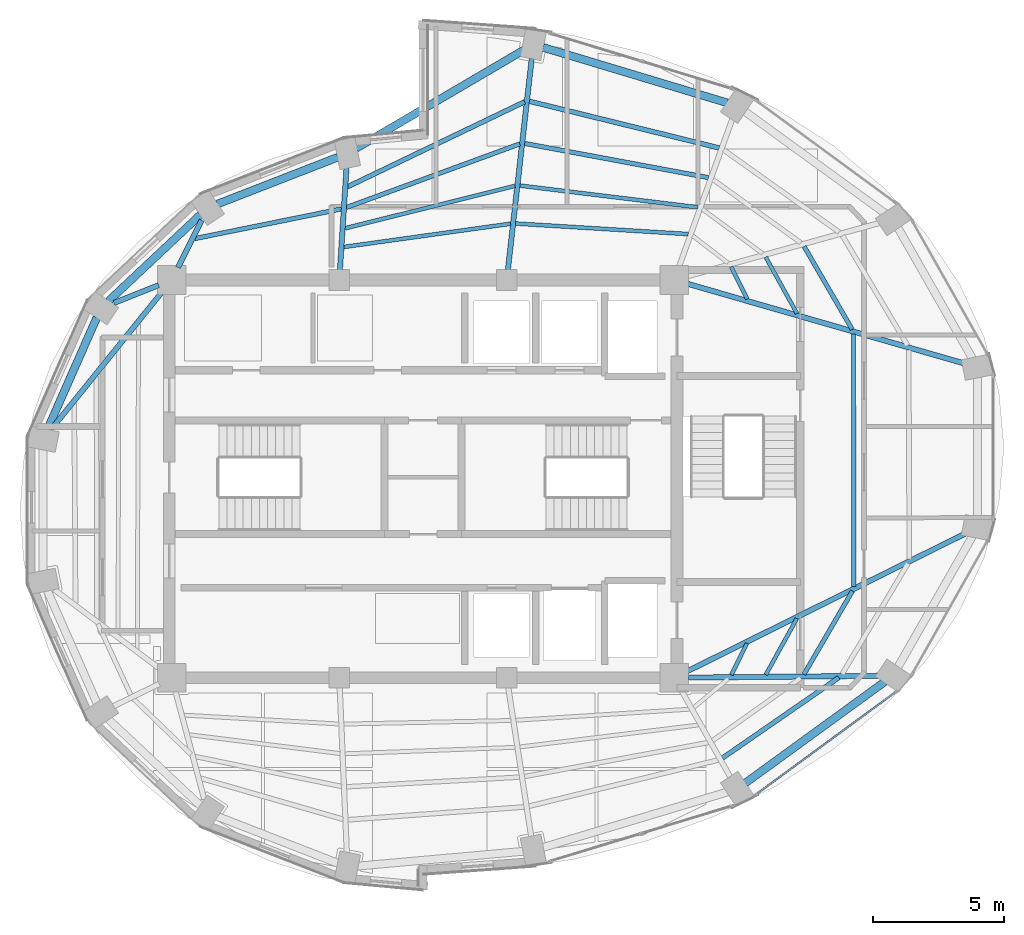
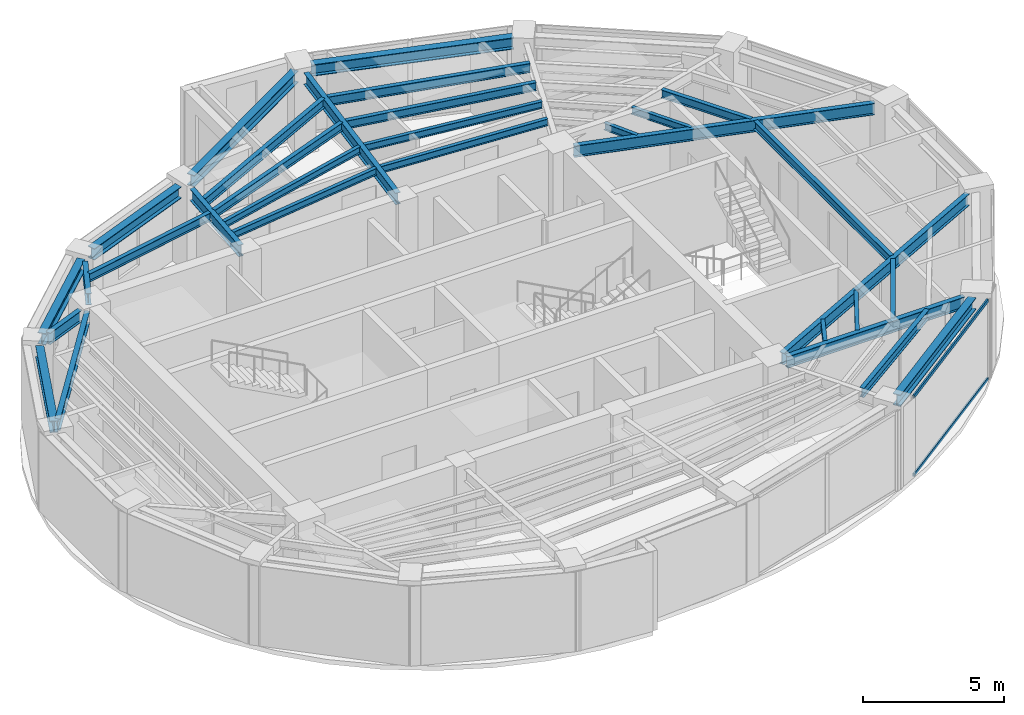
# One storey, part 3 of 13: 31 beams, 2 members, 1 element without a shape of its own.
"""IFC4 building model written with IfcOpenShell, lengths in metres."""

from ifc_helpers import new_model, si_unit, direction, frame, origin, origin_2d, place, context, subcontext, project, spatial, hollow_rectangle, i_section, extrude, material, layer, layer_set, material_profile, profile_set, type_object, element, aggregate, save


model = new_model("IFC4")

# Units and contexts
model_context = context("Model", 3, precision=1e-05, world=origin(), true_north=direction((0.0, 1.0)))
body_context = subcontext(model_context, "Body", "Model", "MODEL_VIEW")
ifc_project = project(units=[si_unit("LENGTHUNIT", "METRE"), si_unit("AREAUNIT", "SQUARE_METRE"), si_unit("VOLUMEUNIT", "CUBIC_METRE"), si_unit("PLANEANGLEUNIT", "RADIAN"), si_unit("MASSUNIT", "GRAM", prefix="KILO")], contexts=[model_context])

# Site, building, storey
site_placement = place(None, origin())
site = spatial("IfcSite", under=ifc_project, at=site_placement, CompositionType="ELEMENT")
building_placement = place(site_placement, origin())
building = spatial("IfcBuilding", under=site, at=building_placement, Name="Lazwardi Medical Tower", CompositionType="ELEMENT")
storey_placement = place(building_placement, frame((0.0, 0.0, 273.263916015625)))
storey = spatial("IfcBuildingStorey", under=building, at=storey_placement, Name="L71", CompositionType="ELEMENT", Elevation=273.263916015625)

# Beams
ifc_material_1 = material(Name="Steel S355", Category="steel")
ifc_material_profile_1 = material_profile(ifc_material_1, i_section(OverallWidth=0.300048828125, OverallDepth=0.5, WebThickness=0.014404296875, FlangeThickness=0.028076171875, at=origin_2d()), Name="HEB 500")
ifc_profile_set_1 = profile_set([ifc_material_profile_1], Name="Steel S355")
beam_type_1 = type_object("IfcBeamType", Name="BM-RB-Z4", PredefinedType="BEAM", material=ifc_profile_set_1)
beam_1_placement = place(storey_placement, frame((48.31591796875, 16.375244140625, 3.197998046875), z_axis=(0.808889916254, 0.587960120571, 0.0), x_axis=(-0.587960120571, 0.808889916254, 0.0)))
element("IfcBeam", 1, at=beam_1_placement, inside=storey, type_object=beam_type_1, Name="Ring beam RB-05 B02 L71", PredefinedType="BEAM", context=body_context, shape_type="SweptSolid", body=[
    extrude(i_section(OverallWidth=0.300048828125, OverallDepth=0.5, WebThickness=0.014404296875, FlangeThickness=0.028076171875, at=origin_2d()), origin(), (0.0, 0.0, 1.0), 6.587158203125),
])
beam_2_placement = place(storey_placement, frame((47.626953125, 42.366455078125, 3.197998046875), z_axis=(-0.957544311906, 0.288286126506, 0.0), x_axis=(-0.288286126506, -0.957544311906, 0.0)))
element("IfcBeam", 2, at=beam_2_placement, inside=storey, type_object=beam_type_1, Name="Ring beam RB-05 B07 L71", PredefinedType="BEAM", context=body_context, shape_type="SweptSolid", body=[
    extrude(i_section(OverallWidth=0.300048828125, OverallDepth=0.5, WebThickness=0.014404296875, FlangeThickness=0.028076171875, at=origin_2d()), origin(), (0.0, 0.0, 1.0), 7.3515625),
])
beam_3_placement = place(storey_placement, frame((39.877685546875, 44.40087890625, 3.197998046875), z_axis=(-0.862560933033, -0.505953196259, 0.0), x_axis=(0.505953196259, -0.862560933033, 0.0)))
element("IfcBeam", 3, at=beam_3_placement, inside=storey, type_object=beam_type_1, Name="Ring beam RB-05 B08 L71", PredefinedType="BEAM", context=body_context, shape_type="SweptSolid", body=[
    extrude(i_section(OverallWidth=0.300048828125, OverallDepth=0.5, WebThickness=0.014404296875, FlangeThickness=0.028076171875, at=origin_2d()), origin(), (0.0, 0.0, 1.0), 7.452880859375),
])
beam_4_placement = place(storey_placement, frame((32.749267578125, 40.29150390625, 3.197998046875), z_axis=(-0.931959260109, -0.362563011761, 0.0), x_axis=(0.362563011761, -0.931959260109, 0.0)))
element("IfcBeam", 4, at=beam_4_placement, inside=storey, type_object=beam_type_1, Name="Ring beam RB-05 B09 L71", PredefinedType="BEAM", context=body_context, shape_type="SweptSolid", body=[
    extrude(i_section(OverallWidth=0.300048828125, OverallDepth=0.5, WebThickness=0.014404296875, FlangeThickness=0.028076171875, at=origin_2d()), origin(), (0.0, 0.0, 1.0), 4.944580078125),
])
beam_5_placement = place(storey_placement, frame((27.493408203125, 38.09033203125, 3.197998046875), z_axis=(-0.728935349177, -0.684582541934, 0.0), x_axis=(0.684582541934, -0.728935349177, 0.0)))
element("IfcBeam", 5, at=beam_5_placement, inside=storey, type_object=beam_type_1, Name="Ring beam RB-05 B10 L71", PredefinedType="BEAM", context=body_context, shape_type="SweptSolid", body=[
    extrude(i_section(OverallWidth=0.300048828125, OverallDepth=0.5, WebThickness=0.014404296875, FlangeThickness=0.028076171875, at=origin_2d()), origin(), (0.0, 0.0, 1.0), 4.822021484375),
])
beam_6_placement = place(storey_placement, frame((23.536865234375, 34.16552734375, 3.197998046875), z_axis=(-0.403522451548, -0.914969743268, 0.0), x_axis=(0.914969743268, -0.403522451548, 0.0)))
element("IfcBeam", 6, at=beam_6_placement, inside=storey, type_object=beam_type_1, Name="Ring beam RB-05 B11 L71", PredefinedType="BEAM", context=body_context, shape_type="SweptSolid", body=[
    extrude(i_section(OverallWidth=0.300048828125, OverallDepth=0.5, WebThickness=0.014404296875, FlangeThickness=0.028076171875, at=origin_2d()), origin(), (0.0, 0.0, 1.0), 4.6962890625),
])
ifc_material_profile_2 = material_profile(ifc_material_1, i_section(OverallWidth=0.199951171875, OverallDepth=0.5, WebThickness=0.01025390625, FlangeThickness=0.01611328125, at=origin_2d()), Name="IPE 500")
ifc_profile_set_2 = profile_set([ifc_material_profile_2], Name="Steel S355")
beam_type_2 = type_object("IfcBeamType", Name="BM-RG-W3", PredefinedType="BEAM", material=ifc_profile_set_2)
beam_7_placement = place(storey_placement, frame((53.4248046875, 20.472412109375, 3.197998046875), z_axis=(-0.999957282107, -0.009243049327, 0.0), x_axis=(0.009243049327, -0.999957282107, 0.0)))
element("IfcBeam", 7, at=beam_7_placement, inside=storey, type_object=beam_type_2, Name="Radial girder RG-04 R03 L71", PredefinedType="BEAM", context=body_context, shape_type="SweptSolid", body=[
    extrude(i_section(OverallWidth=0.199951171875, OverallDepth=0.5, WebThickness=0.01025390625, FlangeThickness=0.01611328125, at=origin_2d()), origin(), (0.0, 0.0, 1.0), 7.2900390625),
])
beam_8_placement = place(storey_placement, frame((56.70556640625, 25.899658203125, 3.197998046875), z_axis=(-0.896137723356, -0.443776048, 0.0), x_axis=(0.443776048, -0.896137723356, 0.0)))
element("IfcBeam", 8, at=beam_8_placement, inside=storey, type_object=beam_type_2, Name="Radial girder RG-04 R04 L71", PredefinedType="BEAM", context=body_context, shape_type="SweptSolid", body=[
    extrude(i_section(OverallWidth=0.199951171875, OverallDepth=0.5, WebThickness=0.01025390625, FlangeThickness=0.01611328125, at=origin_2d()), origin(), (0.0, 0.0, 1.0), 11.85791015625),
])
beam_9_placement = place(storey_placement, frame((56.6708984375, 32.410888671875, 3.197998046875), z_axis=(-0.960926292206, 0.276804373065, 0.0), x_axis=(-0.276804373065, -0.960926292206, 0.0)))
element("IfcBeam", 9, at=beam_9_placement, inside=storey, type_object=beam_type_2, Name="Radial girder RG-04 R05 L71", PredefinedType="BEAM", context=body_context, shape_type="SweptSolid", body=[
    extrude(i_section(OverallWidth=0.199951171875, OverallDepth=0.5, WebThickness=0.01025390625, FlangeThickness=0.01611328125, at=origin_2d()), origin(), (0.0, 0.0, 1.0), 10.986083984375),
])
beam_10_placement = place(storey_placement, frame((40.154052734375, 44.066650390625, 3.197998046875), z_axis=(-0.11196962105, -0.993711630183, 0.0), x_axis=(0.993711630183, -0.11196962105, 0.0)))
element("IfcBeam", 10, at=beam_10_placement, inside=storey, type_object=beam_type_2, Name="Radial girder RG-04 R08 L71", PredefinedType="BEAM", context=body_context, shape_type="SweptSolid", body=[
    extrude(i_section(OverallWidth=0.199951171875, OverallDepth=0.5, WebThickness=0.01025390625, FlangeThickness=0.01611328125, at=origin_2d()), origin(), (0.0, 0.0, 1.0), 8.13525390625),
])
beam_11_placement = place(storey_placement, frame((33.078125, 39.89892578125, 3.197998046875), z_axis=(-0.064536216654, -0.99791536552, 0.0), x_axis=(0.99791536552, -0.064536216654, 0.0)))
element("IfcBeam", 11, at=beam_11_placement, inside=storey, type_object=beam_type_2, Name="Radial girder RG-04 R09 L71", PredefinedType="BEAM", context=body_context, shape_type="SweptSolid", body=[
    extrude(i_section(OverallWidth=0.199951171875, OverallDepth=0.5, WebThickness=0.01025390625, FlangeThickness=0.01611328125, at=origin_2d()), origin(), (0.0, 0.0, 1.0), 3.9228515625),
])
beam_12_placement = place(storey_placement, frame((27.53857421875, 37.87890625, 3.197998046875), z_axis=(-0.446922417137, -0.894572720946, 0.0), x_axis=(0.894572720946, -0.446922417137, 0.0)))
element("IfcBeam", 12, at=beam_12_placement, inside=storey, type_object=beam_type_2, Name="Radial girder RG-04 R10 L71", PredefinedType="BEAM", context=body_context, shape_type="SweptSolid", body=[
    extrude(i_section(OverallWidth=0.199951171875, OverallDepth=0.5, WebThickness=0.01025390625, FlangeThickness=0.01611328125, at=origin_2d()), origin(), (0.0, 0.0, 1.0), 2.012451171875),
])
beam_13_placement = place(storey_placement, frame((24.191162109375, 34.72021484375, 3.197998046875), z_axis=(0.929014807026, 0.370042549347, 0.0), x_axis=(-0.370042549347, 0.929014807026, 0.0)))
element("IfcBeam", 13, at=beam_13_placement, inside=storey, type_object=beam_type_2, Name="Radial girder RG-04 R11 L71", PredefinedType="BEAM", context=body_context, shape_type="SweptSolid", body=[
    extrude(i_section(OverallWidth=0.199951171875, OverallDepth=0.5, WebThickness=0.01025390625, FlangeThickness=0.01611328125, at=origin_2d()), origin(), (0.0, 0.0, 1.0), 1.8427734375),
])
beam_14_placement = place(storey_placement, frame((21.820556640625, 29.927978515625, 3.197998046875), z_axis=(0.62820165026, 0.778050568158, 0.0), x_axis=(-0.778050568158, 0.62820165026, 0.0)))
element("IfcBeam", 14, at=beam_14_placement, inside=storey, type_object=beam_type_2, Name="Radial girder RG-04 R12 L71", PredefinedType="BEAM", context=body_context, shape_type="SweptSolid", body=[
    extrude(i_section(OverallWidth=0.199951171875, OverallDepth=0.5, WebThickness=0.01025390625, FlangeThickness=0.01611328125, at=origin_2d()), origin(), (0.0, 0.0, 1.0), 6.7548828125),
])
ifc_material_profile_3 = material_profile(ifc_material_1, i_section(OverallWidth=0.179931640625, OverallDepth=0.39990234375, WebThickness=0.008544921875, FlangeThickness=0.013427734375, at=origin_2d()), Name="IPE 400")
ifc_profile_set_3 = profile_set([ifc_material_profile_3], Name="Steel S355")
beam_type_3 = type_object("IfcBeamType", Name="BM-SJ-01", PredefinedType="JOIST", material=ifc_profile_set_3)
beam_15_placement = place(storey_placement, frame((47.440673828125, 17.330322265625, 3.248046875), z_axis=(0.822596712765, 0.568625226443, 0.0), x_axis=(-0.568625226443, 0.822596712765, 0.0)))
element("IfcBeam", 15, at=beam_15_placement, inside=storey, type_object=beam_type_3, Name="Secondary joist SJ-01 R1 B02 L71", PredefinedType="JOIST", context=body_context, shape_type="SweptSolid", body=[
    extrude(i_section(OverallWidth=0.179931640625, OverallDepth=0.39990234375, WebThickness=0.008544921875, FlangeThickness=0.013427734375, at=origin_2d()), origin(), (0.0, 0.0, 1.0), 5.4072265625),
])
beam_16_placement = place(storey_placement, frame((47.319091796875, 40.64404296875, 3.248046875), z_axis=(-0.971096035988, 0.23868910509, 0.0), x_axis=(-0.23868910509, -0.971096035988, 0.0)))
element("IfcBeam", 16, at=beam_16_placement, inside=storey, type_object=beam_type_3, Name="Secondary joist SJ-01 R1 B07 L71", PredefinedType="JOIST", context=body_context, shape_type="SweptSolid", body=[
    extrude(i_section(OverallWidth=0.179931640625, OverallDepth=0.39990234375, WebThickness=0.008544921875, FlangeThickness=0.013427734375, at=origin_2d()), origin(), (0.0, 0.0, 1.0), 7.470703125),
])
beam_17_placement = place(storey_placement, frame((39.88623046875, 42.40869140625, 3.248046875), z_axis=(-0.901499730142, -0.432779662823, 0.0), x_axis=(0.432779662823, -0.901499730142, 0.0)))
element("IfcBeam", 17, at=beam_17_placement, inside=storey, type_object=beam_type_3, Name="Secondary joist SJ-01 R1 B08 L71", PredefinedType="JOIST", context=body_context, shape_type="SweptSolid", body=[
    extrude(i_section(OverallWidth=0.179931640625, OverallDepth=0.39990234375, WebThickness=0.008544921875, FlangeThickness=0.013427734375, at=origin_2d()), origin(), (0.0, 0.0, 1.0), 7.512939453125),
])
ifc_material_profile_4 = material_profile(ifc_material_1, i_section(OverallWidth=0.169921875, OverallDepth=0.360107421875, WebThickness=0.008056640625, FlangeThickness=0.0126953125, at=origin_2d()), Name="IPE 360")
ifc_profile_set_4 = profile_set([ifc_material_profile_4], Name="Steel S355")
beam_type_4 = type_object("IfcBeamType", Name="BM-SJ-02", PredefinedType="JOIST", material=ifc_profile_set_4)
beam_18_placement = place(storey_placement, frame((50.556640625, 20.527587890625, 3.26806640625), z_axis=(0.502428077017, 0.864619007092, 0.0), x_axis=(-0.864619007092, 0.502428077017, 0.0)))
element("IfcBeam", 18, at=beam_18_placement, inside=storey, type_object=beam_type_4, Name="Secondary joist SJ-02 R2 B03 L71", PredefinedType="JOIST", context=body_context, shape_type="SweptSolid", body=[
    extrude(i_section(OverallWidth=0.169921875, OverallDepth=0.360107421875, WebThickness=0.008056640625, FlangeThickness=0.0126953125, at=origin_2d()), origin(), (0.0, 0.0, 1.0), 3.683837890625),
])
beam_19_placement = place(storey_placement, frame((52.455078125, 23.889892578125, 3.26806640625), z_axis=(-0.000708932372, 0.999999748707, 0.0), x_axis=(-0.999999748707, -0.000708932372, 0.0)))
element("IfcBeam", 19, at=beam_19_placement, inside=storey, type_object=beam_type_4, Name="Secondary joist SJ-02 R2 B04 L71", PredefinedType="JOIST", context=body_context, shape_type="SweptSolid", body=[
    extrude(i_section(OverallWidth=0.169921875, OverallDepth=0.360107421875, WebThickness=0.008056640625, FlangeThickness=0.0126953125, at=origin_2d()), origin(), (0.0, 0.0, 1.0), 9.642578125),
])
beam_20_placement = place(storey_placement, frame((52.400390625, 33.70947265625, 3.26806640625), z_axis=(-0.501626451559, 0.865084332939, 0.0), x_axis=(-0.865084332939, -0.501626451559, 0.0)))
element("IfcBeam", 20, at=beam_20_placement, inside=storey, type_object=beam_type_4, Name="Secondary joist SJ-02 R2 B05 L71", PredefinedType="JOIST", context=body_context, shape_type="SweptSolid", body=[
    extrude(i_section(OverallWidth=0.169921875, OverallDepth=0.360107421875, WebThickness=0.008056640625, FlangeThickness=0.0126953125, at=origin_2d()), origin(), (0.0, 0.0, 1.0), 3.668212890625),
])
beam_21_placement = place(storey_placement, frame((46.910400390625, 39.50927734375, 3.26806640625), z_axis=(-0.98315560802, 0.182770485635, 0.0), x_axis=(-0.182770485635, -0.98315560802, 0.0)))
element("IfcBeam", 21, at=beam_21_placement, inside=storey, type_object=beam_type_4, Name="Secondary joist SJ-02 R2 B07 L71", PredefinedType="JOIST", context=body_context, shape_type="SweptSolid", body=[
    extrude(i_section(OverallWidth=0.169921875, OverallDepth=0.360107421875, WebThickness=0.008056640625, FlangeThickness=0.0126953125, at=origin_2d()), origin(), (0.0, 0.0, 1.0), 7.147705078125),
])
beam_22_placement = place(storey_placement, frame((39.700439453125, 40.80029296875, 3.26806640625), z_axis=(-0.938784720842, -0.34450435108, 0.0), x_axis=(0.34450435108, -0.938784720842, 0.0)))
element("IfcBeam", 22, at=beam_22_placement, inside=storey, type_object=beam_type_4, Name="Secondary joist SJ-02 R2 B08 L71", PredefinedType="JOIST", context=body_context, shape_type="SweptSolid", body=[
    extrude(i_section(OverallWidth=0.169921875, OverallDepth=0.360107421875, WebThickness=0.008056640625, FlangeThickness=0.0126953125, at=origin_2d()), origin(), (0.0, 0.0, 1.0), 7.06689453125),
])
beam_23_placement = place(storey_placement, frame((32.8837890625, 38.314208984375, 3.26806640625), z_axis=(-0.980097246244, -0.198517978793, 0.0), x_axis=(0.198517978793, -0.980097246244, 0.0)))
element("IfcBeam", 23, at=beam_23_placement, inside=storey, type_object=beam_type_4, Name="Secondary joist SJ-02 R2 B09 L71", PredefinedType="JOIST", context=body_context, shape_type="SweptSolid", body=[
    extrude(i_section(OverallWidth=0.169921875, OverallDepth=0.360107421875, WebThickness=0.008056640625, FlangeThickness=0.0126953125, at=origin_2d()), origin(), (0.0, 0.0, 1.0), 5.72607421875),
])
ifc_material_profile_5 = material_profile(ifc_material_1, i_section(OverallWidth=0.14990234375, OverallDepth=0.300048828125, WebThickness=0.007080078125, FlangeThickness=0.0107421875, at=origin_2d()), Name="IPE 300")
ifc_profile_set_5 = profile_set([ifc_material_profile_5], Name="Steel S355")
beam_type_5 = type_object("IfcBeamType", Name="BM-SJ-03", PredefinedType="JOIST", material=ifc_profile_set_5)
beam_24_placement = place(storey_placement, frame((49.096923828125, 20.51513671875, 3.298095703125), z_axis=(0.484356732643, 0.874870593598, 0.0), x_axis=(-0.874870593598, 0.484356732643, 0.0)))
element("IfcBeam", 24, at=beam_24_placement, inside=storey, type_object=beam_type_5, Name="Secondary joist SJ-03 R3 B03 L71", PredefinedType="JOIST", context=body_context, shape_type="SweptSolid", body=[
    extrude(i_section(OverallWidth=0.14990234375, OverallDepth=0.300048828125, WebThickness=0.007080078125, FlangeThickness=0.0107421875, at=origin_2d()), origin(), (0.0, 0.0, 1.0), 2.45068359375),
])
beam_25_placement = place(storey_placement, frame((50.290771484375, 34.318603515625, 3.298095703125), z_axis=(-0.485634526525, 0.874161945321, 0.0), x_axis=(-0.874161945321, -0.485634526525, 0.0)))
element("IfcBeam", 25, at=beam_25_placement, inside=storey, type_object=beam_type_5, Name="Secondary joist SJ-03 R3 B05 L71", PredefinedType="JOIST", context=body_context, shape_type="SweptSolid", body=[
    extrude(i_section(OverallWidth=0.14990234375, OverallDepth=0.300048828125, WebThickness=0.007080078125, FlangeThickness=0.0107421875, at=origin_2d()), origin(), (0.0, 0.0, 1.0), 2.46630859375),
])
beam_26_placement = place(storey_placement, frame((46.502197265625, 38.373779296875, 3.298095703125), z_axis=(-0.992619429406, 0.121271053287, 0.0), x_axis=(-0.121271053287, -0.992619429406, 0.0)))
element("IfcBeam", 26, at=beam_26_placement, inside=storey, type_object=beam_type_5, Name="Secondary joist SJ-03 R3 B07 L71", PredefinedType="JOIST", context=body_context, shape_type="SweptSolid", body=[
    extrude(i_section(OverallWidth=0.14990234375, OverallDepth=0.300048828125, WebThickness=0.007080078125, FlangeThickness=0.0107421875, at=origin_2d()), origin(), (0.0, 0.0, 1.0), 6.850830078125),
])
beam_27_placement = place(storey_placement, frame((39.515380859375, 39.193359375, 3.298095703125), z_axis=(-0.970279606817, -0.241986538045, 0.0), x_axis=(0.241986538045, -0.970279606817, 0.0)))
element("IfcBeam", 27, at=beam_27_placement, inside=storey, type_object=beam_type_5, Name="Secondary joist SJ-03 R3 B08 L71", PredefinedType="JOIST", context=body_context, shape_type="SweptSolid", body=[
    extrude(i_section(OverallWidth=0.14990234375, OverallDepth=0.300048828125, WebThickness=0.007080078125, FlangeThickness=0.0107421875, at=origin_2d()), origin(), (0.0, 0.0, 1.0), 6.696044921875),
])
beam_28_placement = place(storey_placement, frame((47.78076171875, 20.5048828125, 3.298095703125), z_axis=(0.442264453687, 0.896884693261, 0.0), x_axis=(-0.896884693261, 0.442264453687, 0.0)))
element("IfcBeam", 28, at=beam_28_placement, inside=storey, type_object=beam_type_5, Name="Secondary joist SJ-03 R4 B03 L71", PredefinedType="JOIST", context=body_context, shape_type="SweptSolid", body=[
    extrude(i_section(OverallWidth=0.14990234375, OverallDepth=0.300048828125, WebThickness=0.007080078125, FlangeThickness=0.0107421875, at=origin_2d()), origin(), (0.0, 0.0, 1.0), 1.343505859375),
])
beam_29_placement = place(storey_placement, frame((48.393798828125, 34.867919921875, 3.298095703125), z_axis=(-0.449607078784, 0.893226440891, 0.0), x_axis=(-0.893226440891, -0.449607078784, 0.0)))
element("IfcBeam", 29, at=beam_29_placement, inside=storey, type_object=beam_type_5, Name="Secondary joist SJ-03 R4 B05 L71", PredefinedType="JOIST", context=body_context, shape_type="SweptSolid", body=[
    extrude(i_section(OverallWidth=0.14990234375, OverallDepth=0.300048828125, WebThickness=0.007080078125, FlangeThickness=0.0107421875, at=origin_2d()), origin(), (0.0, 0.0, 1.0), 1.38623046875),
])
beam_30_placement = place(storey_placement, frame((46.135009765625, 37.3515625, 3.298095703125), z_axis=(-0.998131677286, 0.061099548269, 0.0), x_axis=(-0.061099548269, -0.998131677286, 0.0)))
element("IfcBeam", 30, at=beam_30_placement, inside=storey, type_object=beam_type_5, Name="Secondary joist SJ-03 R4 B07 L71", PredefinedType="JOIST", context=body_context, shape_type="SweptSolid", body=[
    extrude(i_section(OverallWidth=0.14990234375, OverallDepth=0.300048828125, WebThickness=0.007080078125, FlangeThickness=0.0107421875, at=origin_2d()), origin(), (0.0, 0.0, 1.0), 6.609130859375),
])
beam_31_placement = place(storey_placement, frame((39.349365234375, 37.748046875, 3.298095703125), z_axis=(-0.990406947737, -0.138181322454, 0.0), x_axis=(0.138181322454, -0.990406947737, 0.0)))
element("IfcBeam", 31, at=beam_31_placement, inside=storey, type_object=beam_type_5, Name="Secondary joist SJ-03 R4 B08 L71", PredefinedType="JOIST", context=body_context, shape_type="SweptSolid", body=[
    extrude(i_section(OverallWidth=0.14990234375, OverallDepth=0.300048828125, WebThickness=0.007080078125, FlangeThickness=0.0107421875, at=origin_2d()), origin(), (0.0, 0.0, 1.0), 6.4365234375),
])

# Curtain wall, members
ifc_material_2 = material(Name="Anodised bronze aluminium and solar control glazing", Category="aluminium")
ifc_layer = layer(ifc_material_2, 0.18994140625)
ifc_layer_set = layer_set([ifc_layer], Name="Anodised bronze aluminium and solar control glazing")
curtain_wall_type = type_object("IfcCurtainWallType", Name="CW-SYS-04", PredefinedType="NOTDEFINED", material=ifc_layer_set)
curtain_wall_placement = place(storey_placement, origin())
curtain_wall = element("IfcCurtainWall", 32, at=curtain_wall_placement, inside=storey, type_object=curtain_wall_type, Name="L71 Unitised bronze curtain wall CW-04", PredefinedType="NOTDEFINED")
ifc_material_3 = material(Name="Anodised bronze aluminium", Category="aluminium")
ifc_material_profile_6 = material_profile(ifc_material_3, hollow_rectangle(XDim=0.06494140625, YDim=0.139892578125, WallThickness=0.00341796875, at=origin_2d()), Name="ALU-TRANSOM 140x65x3.5")
ifc_profile_set_6 = profile_set([ifc_material_profile_6], Name="Anodised bronze aluminium")
member_type = type_object("IfcMemberType", Name="CW-TRN-03", PredefinedType="USERDEFINED", material=ifc_profile_set_6)
member_1_placement = place(storey_placement, frame((48.781494140625, 15.984375, 0.032470703125), z_axis=(0.80648973359, 0.591248094808, 0.0), x_axis=(-0.591248094808, 0.80648973359, 0.0)))
member_1 = element("IfcMember", 33, at=member_1_placement, type_object=member_type, Name="CW-04 transom 1.1", ObjectType="TRANSOM", PredefinedType="USERDEFINED", context=body_context, shape_type="SweptSolid", body=[
    extrude(hollow_rectangle(XDim=0.06494140625, YDim=0.139892578125, WallThickness=0.00341796875, at=origin_2d()), origin(), (0.0, 0.0, 1.0), 6.502685546875),
])
member_2_placement = place(storey_placement, frame((48.781494140625, 15.984375, 3.41552734375), z_axis=(0.80648973359, 0.591248094808, 0.0), x_axis=(-0.591248094808, 0.80648973359, 0.0)))
member_2 = element("IfcMember", 34, at=member_2_placement, type_object=member_type, Name="CW-04 transom 1.2", ObjectType="TRANSOM", PredefinedType="USERDEFINED", context=body_context, shape_type="SweptSolid", body=[
    extrude(hollow_rectangle(XDim=0.06494140625, YDim=0.139892578125, WallThickness=0.00341796875, at=origin_2d()), origin(), (0.0, 0.0, 1.0), 6.502685546875),
])
aggregate(curtain_wall, [member_1, member_2])

save(model, "model.ifc")
